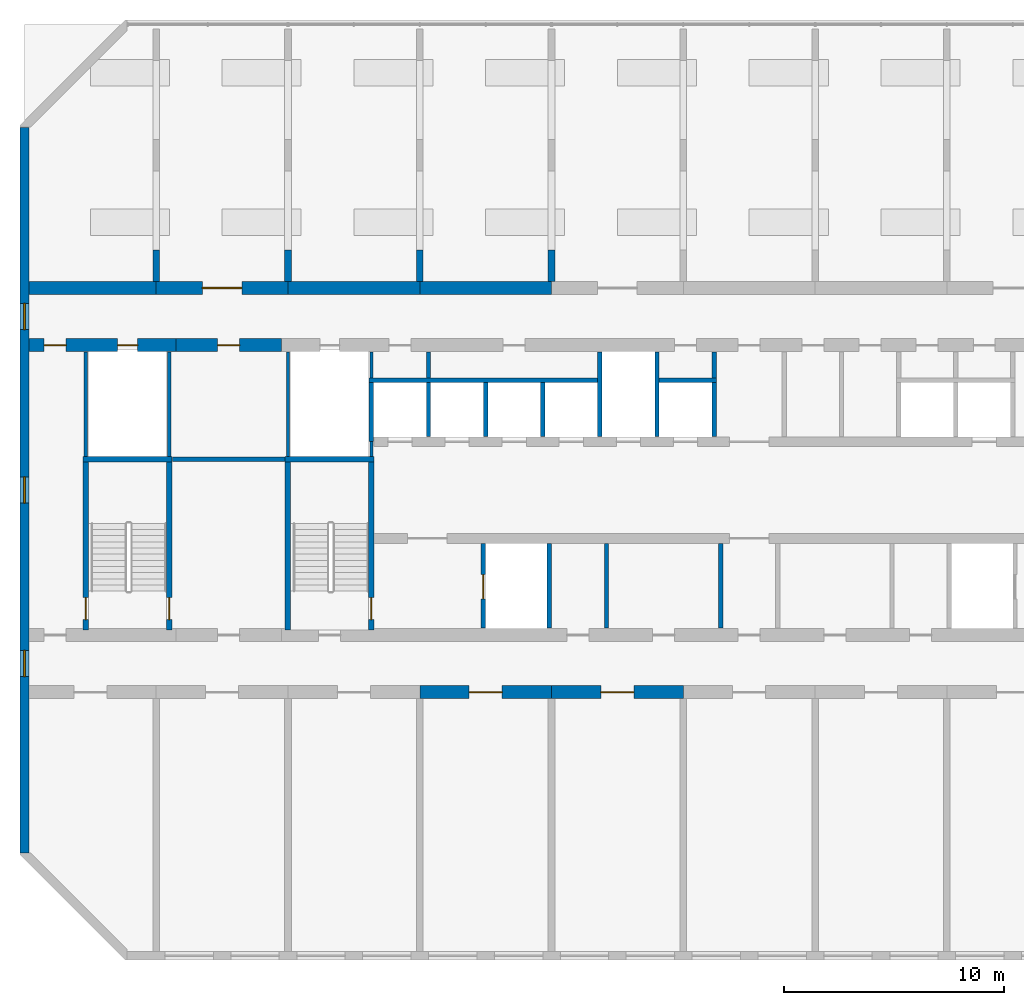
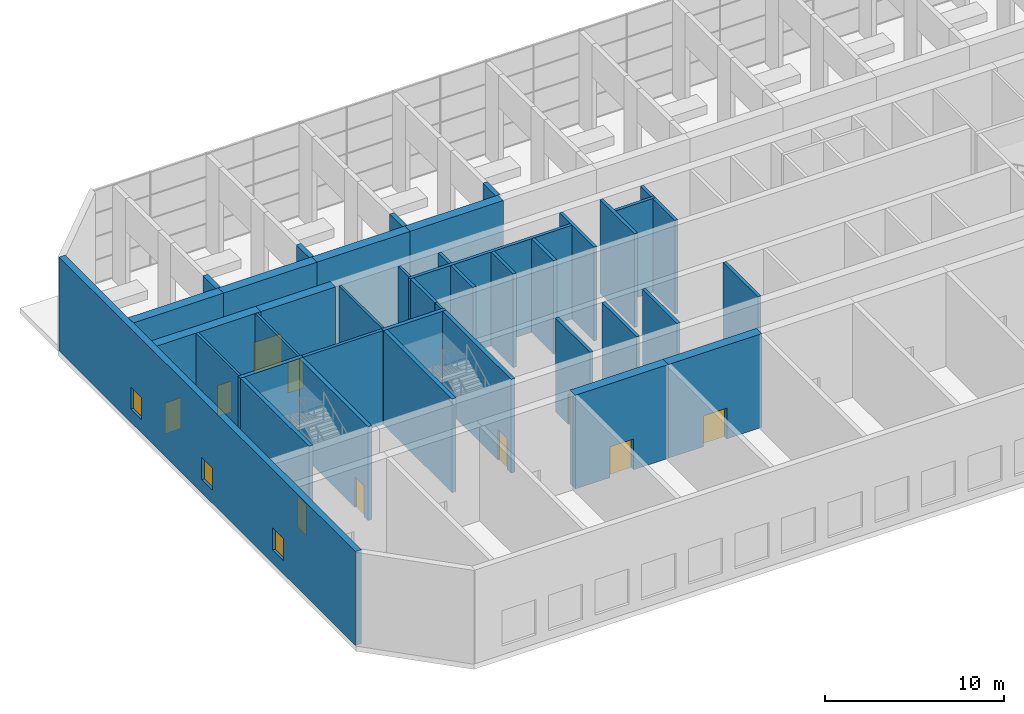
# One storey, part 6 of 13: 40 walls, 10 doors, 3 windows, 13 openings.
"""IFC4 building model written with IfcOpenShell, lengths in metres."""

from ifc_helpers import new_model, si_unit, direction, frame, frame_2d, origin, place, context, subcontext, project, spatial, rectangle, extrude, material, layer, layer_set, type_object, element, fill, save


model = new_model("IFC4")

# Units and contexts
model_context = context("Model", 3, precision=1e-05, world=origin(), true_north=direction((0.0, 1.0)))
body_context = subcontext(model_context, "Body", "Model", "MODEL_VIEW")
ifc_project = project(units=[si_unit("LENGTHUNIT", "METRE"), si_unit("AREAUNIT", "SQUARE_METRE"), si_unit("VOLUMEUNIT", "CUBIC_METRE"), si_unit("PLANEANGLEUNIT", "RADIAN"), si_unit("MASSUNIT", "GRAM", prefix="KILO")], contexts=[model_context])

# Site, building, storey
site_placement = place(None, origin())
site = spatial("IfcSite", under=ifc_project, at=site_placement, CompositionType="ELEMENT")
building_placement = place(site_placement, origin())
building = spatial("IfcBuilding", under=site, at=building_placement, Name="Poui Terraces", CompositionType="ELEMENT")
storey_placement = place(building_placement, frame((0.0, 0.0, 165.300048828125)))
storey = spatial("IfcBuildingStorey", under=building, at=storey_placement, Name="L46", CompositionType="ELEMENT", Elevation=165.300048828125)

# Wall, opening, door
ifc_material_1 = material(Name="Concrete 65 MPa", Category="concrete")
ifc_layer_1 = layer(ifc_material_1, 0.60009765625)
ifc_layer_set_1 = layer_set([ifc_layer_1], Name="Concrete 65 MPa")
wall_type_1 = type_object("IfcWallType", Name="BELT WALL 600 65MPa", PredefinedType="SHEAR", material=ifc_layer_set_1)
wall_1_placement = place(storey_placement, frame((36.0, 12.0, 0.0), z_axis=(0.0, 0.0, 1.0), x_axis=(1.0, 0.0, 0.0)))
wall_1 = element("IfcWall", 1, at=wall_1_placement, inside=storey, type_object=wall_type_1, Name="BELT WALL LINE B BAY 4", PredefinedType="SHEAR", context=body_context, shape_type="SweptSolid", body=[
    extrude(rectangle(XDim=6.0, YDim=0.60009765625, at=frame_2d((3.0, 0.0))), origin(), (0.0, 0.0, 1.0), 6.3798828125),
])
opening_1_placement = place(wall_1_placement, frame((2.25, 0.0, 0.0)))
opening_1 = element("IfcOpeningElement", 2, at=opening_1_placement, cuts=wall_1, Name="Opening FDP", PredefinedType="OPENING", context=body_context, shape_type="SweptSolid", body=[
    extrude(rectangle(XDim=1.5, YDim=2.10009765625, at=frame_2d((0.75, 1.050048828125))), frame((0.0, 0.31005859375, 0.0), z_axis=(0.0, -1.0, 0.0), x_axis=(1.0, 0.0, 0.0)), (0.0, 0.0, 1.0), 0.6201171875),
])
ifc_material_2 = material(Name="Steel fire door", Category="steel")
door_type_1 = type_object("IfcDoorType", Name="PLANT ROOM DOOR PAIR 1500 X 2100", OperationType="DOUBLE_DOOR_SINGLE_SWING", PredefinedType="DOOR", material=ifc_material_2)
door_1_placement = place(opening_1_placement, origin())
door_1 = element("IfcDoor", 3, at=door_1_placement, inside=storey, type_object=door_type_1, Name="PLANT ROOM DOOR PAIR 029", OperationType="DOUBLE_DOOR_SINGLE_SWING", OverallHeight=2.10009765625, OverallWidth=1.5, PredefinedType="DOOR", context=body_context, shape_type="SweptSolid", body=[
    extrude(rectangle(XDim=1.5, YDim=2.10009765625, at=frame_2d((0.75, 1.050048828125))), frame((0.0, 0.02490234375, 0.0), z_axis=(0.0, -1.0, 0.0), x_axis=(1.0, 0.0, 0.0)), (0.0, 0.0, 1.0), 0.050048828125),
])
fill(opening_1, door_1)

wall_2_placement = place(storey_placement, frame((42.0, 12.0, 0.0), z_axis=(0.0, 0.0, 1.0), x_axis=(1.0, 0.0, 0.0)))
wall_2 = element("IfcWall", 4, at=wall_2_placement, inside=storey, type_object=wall_type_1, Name="BELT WALL LINE B BAY 5", PredefinedType="SHEAR", context=body_context, shape_type="SweptSolid", body=[
    extrude(rectangle(XDim=6.0, YDim=0.60009765625, at=frame_2d((3.0, 0.0))), origin(), (0.0, 0.0, 1.0), 6.3798828125),
])
opening_2_placement = place(wall_2_placement, frame((2.25, 0.0, 0.0)))
opening_2 = element("IfcOpeningElement", 5, at=opening_2_placement, cuts=wall_2, Name="Opening FDP", PredefinedType="OPENING", context=body_context, shape_type="SweptSolid", body=[
    extrude(rectangle(XDim=1.5, YDim=2.10009765625, at=frame_2d((0.75, 1.050048828125))), frame((0.0, 0.31005859375, 0.0), z_axis=(0.0, -1.0, 0.0), x_axis=(1.0, 0.0, 0.0)), (0.0, 0.0, 1.0), 0.6201171875),
])
door_2_placement = place(opening_2_placement, origin())
door_2 = element("IfcDoor", 6, at=door_2_placement, inside=storey, type_object=door_type_1, Name="PLANT ROOM DOOR PAIR 031", OperationType="DOUBLE_DOOR_SINGLE_SWING", OverallHeight=2.10009765625, OverallWidth=1.5, PredefinedType="DOOR", context=body_context, shape_type="SweptSolid", body=[
    extrude(rectangle(XDim=1.5, YDim=2.10009765625, at=frame_2d((0.75, 1.050048828125))), frame((0.0, 0.02490234375, 0.0), z_axis=(0.0, -1.0, 0.0), x_axis=(1.0, 0.0, 0.0)), (0.0, 0.0, 1.0), 0.050048828125),
])
fill(opening_2, door_2)

# Wall
wall_3_placement = place(storey_placement, frame((18.199951171875, 30.39990234375, 0.0), z_axis=(0.0, 0.0, 1.0), x_axis=(1.0, 0.0, 0.0)))
element("IfcWall", 7, at=wall_3_placement, inside=storey, type_object=wall_type_1, Name="BELT WALL LINE E BAY 1", PredefinedType="SHEAR", context=body_context, shape_type="SweptSolid", body=[
    extrude(rectangle(XDim=5.800048828125, YDim=0.60009765625, at=frame_2d((2.89990234375, 0.0))), origin(), (0.0, 0.0, 1.0), 6.3798828125),
])

# Wall, opening, door
wall_4_placement = place(storey_placement, frame((24.0, 30.39990234375, 0.0), z_axis=(0.0, 0.0, 1.0), x_axis=(1.0, 0.0, 0.0)))
wall_4 = element("IfcWall", 8, at=wall_4_placement, inside=storey, type_object=wall_type_1, Name="BELT WALL LINE E BAY 2", PredefinedType="SHEAR", context=body_context, shape_type="SweptSolid", body=[
    extrude(rectangle(XDim=6.0, YDim=0.60009765625, at=frame_2d((3.0, 0.0))), origin(), (0.0, 0.0, 1.0), 6.3798828125),
])
opening_3_placement = place(wall_4_placement, frame((2.10009765625, 0.0, 0.0)))
opening_3 = element("IfcOpeningElement", 9, at=opening_3_placement, cuts=wall_4, Name="Opening DD180", PredefinedType="OPENING", context=body_context, shape_type="SweptSolid", body=[
    extrude(rectangle(XDim=1.800048828125, YDim=2.10009765625, at=frame_2d((0.89990234375, 1.050048828125))), frame((0.0, 0.31005859375, 0.0), z_axis=(0.0, -1.0, 0.0), x_axis=(1.0, 0.0, 0.0)), (0.0, 0.0, 1.0), 0.6201171875),
])
door_type_2 = type_object("IfcDoorType", Name="DOUBLE INTERNAL DOOR 1800 X 2100", OperationType="DOUBLE_DOOR_SINGLE_SWING", PredefinedType="DOOR", material=ifc_material_2)
door_3_placement = place(opening_3_placement, frame((1.800048828125, 0.0, 0.0), z_axis=(0.0, 0.0, 1.0), x_axis=(-1.0, 0.0, 0.0)))
door_3 = element("IfcDoor", 10, at=door_3_placement, inside=storey, type_object=door_type_2, Name="DOUBLE INTERNAL DOOR 003", OperationType="DOUBLE_DOOR_SINGLE_SWING", OverallHeight=2.10009765625, OverallWidth=1.800048828125, PredefinedType="DOOR", context=body_context, shape_type="SweptSolid", body=[
    extrude(rectangle(XDim=1.800048828125, YDim=2.10009765625, at=frame_2d((0.89990234375, 1.050048828125))), frame((0.0, 0.02490234375, 0.0), z_axis=(0.0, -1.0, 0.0), x_axis=(1.0, 0.0, 0.0)), (0.0, 0.0, 1.0), 0.050048828125),
])
fill(opening_3, door_3)

# Walls
for number, where, z_axis, x_axis, name in (
    (11, (30.0, 30.39990234375, 0.0), (0.0, 0.0, 1.0), (1.0, 0.0, 0.0), "BELT WALL LINE E BAY 3"),
    (12, (36.0, 30.39990234375, 0.0), (0.0, 0.0, 1.0), (1.0, 0.0, 0.0), "BELT WALL LINE E BAY 4"),
):
    element("IfcWall", number, at=place(storey_placement, frame(where, z_axis=z_axis, x_axis=x_axis)), inside=storey, type_object=wall_type_1, Name=name, PredefinedType="SHEAR", context=body_context, shape_type="SweptSolid", body=[
        extrude(rectangle(XDim=6.0, YDim=0.60009765625, at=frame_2d((3.0, 0.0))), origin(), (0.0, 0.0, 1.0), 6.3798828125),
    ])

# Wall, openings, windows
ifc_layer_2 = layer(ifc_material_1, 0.39990234375)
ifc_layer_set_2 = layer_set([ifc_layer_2], Name="Concrete 65 MPa")
wall_type_2 = type_object("IfcWallType", Name="END WALL 400 65MPa", PredefinedType="SHEAR", material=ifc_layer_set_2)
wall_5_placement = place(storey_placement, frame((18.0, 4.682861328125, 0.0), z_axis=(0.0, 0.0, 1.0), x_axis=(0.0, 1.0, 0.0)))
wall_5 = element("IfcWall", 13, at=wall_5_placement, inside=storey, type_object=wall_type_2, Name="END WALL WEST", PredefinedType="SHEAR", context=body_context, shape_type="SweptSolid", body=[
    extrude(rectangle(XDim=33.034423828125, YDim=0.39990234375, at=frame_2d((16.51708984375, 0.0))), origin(), (0.0, 0.0, 1.0), 6.3798828125),
])
opening_4_placement = place(wall_5_placement, frame((23.817138671875, 0.0, 0.89990234375)))
opening_4 = element("IfcOpeningElement", 14, at=opening_4_placement, cuts=wall_5, Name="Opening W2", PredefinedType="OPENING", context=body_context, shape_type="SweptSolid", body=[
    extrude(rectangle(XDim=1.199951171875, YDim=1.5, at=frame_2d((0.60009765625, 0.75))), frame((0.0, 0.2099609375, 0.0), z_axis=(0.0, -1.0, 0.0), x_axis=(1.0, 0.0, 0.0)), (0.0, 0.0, 1.0), 0.419921875),
])
opening_5_placement = place(wall_5_placement, frame((8.01708984375, 0.0, 0.89990234375)))
opening_5 = element("IfcOpeningElement", 15, at=opening_5_placement, cuts=wall_5, Name="Opening W2", PredefinedType="OPENING", context=body_context, shape_type="SweptSolid", body=[
    extrude(rectangle(XDim=1.199951171875, YDim=1.5, at=frame_2d((0.60009765625, 0.75))), frame((0.0, 0.2099609375, 0.0), z_axis=(0.0, -1.0, 0.0), x_axis=(1.0, 0.0, 0.0)), (0.0, 0.0, 1.0), 0.419921875),
])
opening_6_placement = place(wall_5_placement, frame((15.917236328125, 0.0, 0.89990234375)))
opening_6 = element("IfcOpeningElement", 16, at=opening_6_placement, cuts=wall_5, Name="Opening W2", PredefinedType="OPENING", context=body_context, shape_type="SweptSolid", body=[
    extrude(rectangle(XDim=1.199951171875, YDim=1.5, at=frame_2d((0.60009765625, 0.75))), frame((0.0, 0.2099609375, 0.0), z_axis=(0.0, -1.0, 0.0), x_axis=(1.0, 0.0, 0.0)), (0.0, 0.0, 1.0), 0.419921875),
])
ifc_material_3 = material(Name="Clear glass in aluminium frame", Category="aluminium")
window_type = type_object("IfcWindowType", Name="WINDOW 1200X1500", PartitioningType="SINGLE_PANEL", PredefinedType="WINDOW", material=ifc_material_3)
window_1_placement = place(opening_4_placement, origin())
window_1 = element("IfcWindow", 17, at=window_1_placement, inside=storey, type_object=window_type, Name="W2 WINDOW", OverallHeight=1.5, OverallWidth=1.199951171875, PartitioningType="SINGLE_PANEL", PredefinedType="WINDOW", context=body_context, shape_type="SweptSolid", body=[
    extrude(rectangle(XDim=1.199951171875, YDim=1.5, at=frame_2d((0.60009765625, 0.75))), frame((0.0, 0.030029296875, 0.0), z_axis=(0.0, -1.0, 0.0), x_axis=(1.0, 0.0, 0.0)), (0.0, 0.0, 1.0), 0.06005859375),
])
fill(opening_4, window_1)
window_2_placement = place(opening_5_placement, origin())
window_2 = element("IfcWindow", 18, at=window_2_placement, inside=storey, type_object=window_type, Name="W2 WINDOW", OverallHeight=1.5, OverallWidth=1.199951171875, PartitioningType="SINGLE_PANEL", PredefinedType="WINDOW", context=body_context, shape_type="SweptSolid", body=[
    extrude(rectangle(XDim=1.199951171875, YDim=1.5, at=frame_2d((0.60009765625, 0.75))), frame((0.0, 0.030029296875, 0.0), z_axis=(0.0, -1.0, 0.0), x_axis=(1.0, 0.0, 0.0)), (0.0, 0.0, 1.0), 0.06005859375),
])
fill(opening_5, window_2)
window_3_placement = place(opening_6_placement, origin())
window_3 = element("IfcWindow", 19, at=window_3_placement, inside=storey, type_object=window_type, Name="W2 WINDOW", OverallHeight=1.5, OverallWidth=1.199951171875, PartitioningType="SINGLE_PANEL", PredefinedType="WINDOW", context=body_context, shape_type="SweptSolid", body=[
    extrude(rectangle(XDim=1.199951171875, YDim=1.5, at=frame_2d((0.60009765625, 0.75))), frame((0.0, 0.030029296875, 0.0), z_axis=(0.0, -1.0, 0.0), x_axis=(1.0, 0.0, 0.0)), (0.0, 0.0, 1.0), 0.06005859375),
])
fill(opening_6, window_3)

# Wall, opening, door
ifc_layer_3 = layer(ifc_material_1, 0.60009765625)
ifc_layer_set_3 = layer_set([ifc_layer_3], Name="Concrete 65 MPa")
wall_type_3 = type_object("IfcWallType", Name="OUTRIGGER WALL 600 65MPa", PredefinedType="SHEAR", material=ifc_layer_set_3)
wall_6_placement = place(storey_placement, frame((24.89990234375, 27.800048828125, 0.0), z_axis=(0.0, 0.0, 1.0), x_axis=(1.0, 0.0, 0.0)))
wall_6 = element("IfcWall", 20, at=wall_6_placement, inside=storey, type_object=wall_type_3, Name="OUTRIGGER WALL LINE D W2", PredefinedType="SHEAR", context=body_context, shape_type="SweptSolid", body=[
    extrude(rectangle(XDim=4.800048828125, YDim=0.60009765625, at=frame_2d((2.39990234375, 0.0))), origin(), (0.0, 0.0, 1.0), 6.3798828125),
])
opening_7_placement = place(wall_6_placement, frame((1.89990234375, 0.0, 0.0)))
opening_7 = element("IfcOpeningElement", 21, at=opening_7_placement, cuts=wall_6, Name="Opening FD60", PredefinedType="OPENING", context=body_context, shape_type="SweptSolid", body=[
    extrude(rectangle(XDim=1.0, YDim=2.10009765625, at=frame_2d((0.5, 1.050048828125))), frame((0.0, 0.31005859375, 0.0), z_axis=(0.0, -1.0, 0.0), x_axis=(1.0, 0.0, 0.0)), (0.0, 0.0, 1.0), 0.6201171875),
])
door_type_3 = type_object("IfcDoorType", Name="SERVICE ROOM FIRE DOOR 1000 X 2100", OperationType="NOTDEFINED", PredefinedType="DOOR", material=ifc_material_2)
door_4_placement = place(opening_7_placement, origin())
door_4 = element("IfcDoor", 22, at=door_4_placement, inside=storey, type_object=door_type_3, Name="SERVICE ROOM FIRE DOOR 004", OperationType="SINGLE_SWING_LEFT", OverallHeight=2.10009765625, OverallWidth=1.0, PredefinedType="DOOR", context=body_context, shape_type="SweptSolid", body=[
    extrude(rectangle(XDim=1.0, YDim=2.10009765625, at=frame_2d((0.5, 1.050048828125))), frame((0.0, 0.02490234375, 0.0), z_axis=(0.0, -1.0, 0.0), x_axis=(1.0, 0.0, 0.0)), (0.0, 0.0, 1.0), 0.050048828125),
])
fill(opening_7, door_4)

# Walls
ifc_layer_4 = layer(ifc_material_1, 0.300048828125)
ifc_layer_set_4 = layer_set([ifc_layer_4], Name="Concrete 65 MPa")
wall_type_4 = type_object("IfcWallType", Name="PIERCED CROSS WALL 300 65MPa", PredefinedType="SHEAR", material=ifc_layer_set_4)
for number, where, z_axis, x_axis, name in (
    (23, (24.0, 30.699951171875, 0.0), (0.0, 0.0, 1.0), (0.0, 1.0, 0.0), "PIER LINE 5 1"),
    (24, (30.0, 30.699951171875, 0.0), (0.0, 0.0, 1.0), (0.0, 1.0, 0.0), "PIER LINE 6 1"),
    (25, (36.0, 30.699951171875, 0.0), (0.0, 0.0, 1.0), (0.0, 1.0, 0.0), "PIER LINE 7 1"),
    (26, (42.0, 30.699951171875, 0.0), (0.0, 0.0, 1.0), (0.0, 1.0, 0.0), "PIER LINE 8 1"),
):
    element("IfcWall", number, at=place(storey_placement, frame(where, z_axis=z_axis, x_axis=x_axis)), inside=storey, type_object=wall_type_4, Name=name, PredefinedType="SHEAR", context=body_context, shape_type="SweptSolid", body=[
        extrude(rectangle(XDim=1.433349609375, YDim=0.300048828125, at=frame_2d((0.716796875, 0.0))), origin(), (0.0, 0.0, 1.0), 6.3798828125),
    ])
ifc_material_4 = material(Name="Fire-rated masonry wall", Category="masonry")
ifc_layer_5 = layer(ifc_material_4, 0.199951171875)
ifc_layer_set_5 = layer_set([ifc_layer_5], Name="Fire-rated masonry wall")
wall_type_5 = type_object("IfcWallType", Name="PLANT ROOM WALL 200", PredefinedType="PARTITIONING", material=ifc_layer_set_5)
wall_7_placement = place(storey_placement, frame((36.39990234375, 26.300048828125, 0.0), z_axis=(0.0, 0.0, 1.0), x_axis=(0.0, 1.0, 0.0)))
element("IfcWall", 27, at=wall_7_placement, inside=storey, type_object=wall_type_5, Name="PLANT ROOM WALL 200", PredefinedType="PARTITIONING", context=body_context, shape_type="SweptSolid", body=[
    extrude(rectangle(XDim=1.18994140625, YDim=0.199951171875, at=frame_2d((0.594970703125, 0.0))), origin(), (0.0, 0.0, 1.0), 6.3798828125),
])
wall_8_placement = place(storey_placement, frame((44.5, 14.909912109375, 0.0), z_axis=(0.0, 0.0, 1.0), x_axis=(0.0, 1.0, 0.0)))
element("IfcWall", 28, at=wall_8_placement, inside=storey, type_object=wall_type_5, Name="PLANT ROOM WALL 200", PredefinedType="PARTITIONING", context=body_context, shape_type="SweptSolid", body=[
    extrude(rectangle(XDim=3.85498046875, YDim=0.199951171875, at=frame_2d((1.927490234375, 0.0))), origin(), (0.0, 0.0, 1.0), 6.3798828125),
])
wall_9_placement = place(storey_placement, frame((49.39990234375, 26.300048828125, 0.0), z_axis=(0.0, 0.0, 1.0), x_axis=(0.0, 1.0, 0.0)))
element("IfcWall", 29, at=wall_9_placement, inside=storey, type_object=wall_type_5, Name="PLANT ROOM WALL 200", PredefinedType="PARTITIONING", context=body_context, shape_type="SweptSolid", body=[
    extrude(rectangle(XDim=1.18994140625, YDim=0.199951171875, at=frame_2d((0.594970703125, 0.0))), origin(), (0.0, 0.0, 1.0), 6.3798828125),
])
wall_10_placement = place(storey_placement, frame((49.699951171875, 14.909912109375, 0.0), z_axis=(0.0, 0.0, 1.0), x_axis=(0.0, 1.0, 0.0)))
element("IfcWall", 30, at=wall_10_placement, inside=storey, type_object=wall_type_5, Name="PLANT ROOM WALL 200", PredefinedType="PARTITIONING", context=body_context, shape_type="SweptSolid", body=[
    extrude(rectangle(XDim=3.85498046875, YDim=0.199951171875, at=frame_2d((1.927490234375, 0.0))), origin(), (0.0, 0.0, 1.0), 6.3798828125),
])
ifc_layer_6 = layer(ifc_material_4, 0.199951171875)
ifc_layer_set_6 = layer_set([ifc_layer_6], Name="Fire-rated masonry wall")
wall_type_6 = type_object("IfcWallType", Name="REFUGE AREA WALL 200", PredefinedType="PARTITIONING", material=ifc_layer_set_6)
wall_11_placement = place(storey_placement, frame((24.735107421875, 22.60009765625, 0.0), z_axis=(0.0, 0.0, 1.0), x_axis=(1.0, 0.0, 0.0)))
element("IfcWall", 31, at=wall_11_placement, inside=storey, type_object=wall_type_6, Name="REFUGE AREA WALL 200", PredefinedType="PARTITIONING", context=body_context, shape_type="SweptSolid", body=[
    extrude(rectangle(XDim=5.1298828125, YDim=0.199951171875, at=frame_2d((2.56494140625, 0.0))), origin(), (0.0, 0.0, 1.0), 6.3798828125),
])
ifc_material_5 = material(Name="Fire-rated plasterboard riser wall")
ifc_layer_7 = layer(ifc_material_5, 0.14990234375)
ifc_layer_set_7 = layer_set([ifc_layer_7], Name="Fire-rated plasterboard riser wall")
wall_type_7 = type_object("IfcWallType", Name="RISER WALL 150", PredefinedType="PARTITIONING", material=ifc_layer_set_7)
for number, where, z_axis, x_axis, name in (
    (32, (20.800048828125, 22.735107421875, 0.0), (0.0, 0.0, 1.0), (0.0, 1.0, 0.0), "RISER WALL 150"),
    (33, (24.60009765625, 22.735107421875, 0.0), (0.0, 0.0, 1.0), (0.0, 1.0, 0.0), "RISER WALL 150"),
    (34, (30.0, 22.735107421875, 0.0), (0.0, 0.0, 1.0), (0.0, 1.0, 0.0), "RISER WALL 150"),
):
    element("IfcWall", number, at=place(storey_placement, frame(where, z_axis=z_axis, x_axis=x_axis)), inside=storey, type_object=wall_type_7, Name=name, PredefinedType="PARTITIONING", context=body_context, shape_type="SweptSolid", body=[
        extrude(rectangle(XDim=4.7548828125, YDim=0.14990234375, at=frame_2d((2.37744140625, 0.0))), origin(), (0.0, 0.0, 1.0), 6.3798828125),
    ])
wall_12_placement = place(storey_placement, frame((33.800048828125, 22.735107421875, 0.0), z_axis=(0.0, 0.0, 1.0), x_axis=(0.0, 1.0, 0.0)))
element("IfcWall", 35, at=wall_12_placement, inside=storey, type_object=wall_type_7, Name="RISER WALL 150", PredefinedType="PARTITIONING", context=body_context, shape_type="SweptSolid", body=[
    extrude(rectangle(XDim=0.664794921875, YDim=0.14990234375, at=frame_2d((0.33251953125, 0.0))), origin(), (0.0, 0.0, 1.0), 6.3798828125),
])
wall_13_placement = place(storey_placement, frame((33.800048828125, 26.300048828125, 0.0), z_axis=(0.0, 0.0, 1.0), x_axis=(0.0, 1.0, 0.0)))
element("IfcWall", 36, at=wall_13_placement, inside=storey, type_object=wall_type_7, Name="RISER WALL 150", PredefinedType="PARTITIONING", context=body_context, shape_type="SweptSolid", body=[
    extrude(rectangle(XDim=1.18994140625, YDim=0.14990234375, at=frame_2d((0.594970703125, 0.0))), origin(), (0.0, 0.0, 1.0), 6.3798828125),
])
ifc_material_6 = material(Name="Fire-rated masonry shaft wall", Category="masonry")
ifc_layer_8 = layer(ifc_material_6, 0.199951171875)
ifc_layer_set_8 = layer_set([ifc_layer_8], Name="Fire-rated masonry shaft wall")
wall_type_8 = type_object("IfcWallType", Name="SHAFT WALL 200", PredefinedType="PARTITIONING", material=ifc_layer_set_8)
wall_14_placement = place(storey_placement, frame((33.699951171875, 26.199951171875, 0.0), z_axis=(0.0, 0.0, 1.0), x_axis=(1.0, 0.0, 0.0)))
element("IfcWall", 37, at=wall_14_placement, inside=storey, type_object=wall_type_8, Name="SHAFT WALL 200", PredefinedType="PARTITIONING", context=body_context, shape_type="SweptSolid", body=[
    extrude(rectangle(XDim=10.400146484375, YDim=0.199951171875, at=frame_2d((5.2001953125, 0.0))), origin(), (0.0, 0.0, 1.0), 6.3798828125),
])
wall_15_placement = place(storey_placement, frame((46.89990234375, 26.199951171875, 0.0), z_axis=(0.0, 0.0, 1.0), x_axis=(1.0, 0.0, 0.0)))
element("IfcWall", 38, at=wall_15_placement, inside=storey, type_object=wall_type_8, Name="SHAFT WALL 200", PredefinedType="PARTITIONING", context=body_context, shape_type="SweptSolid", body=[
    extrude(rectangle(XDim=2.60009765625, YDim=0.199951171875, at=frame_2d((1.300048828125, 0.0))), origin(), (0.0, 0.0, 1.0), 6.3798828125),
])
wall_16_placement = place(storey_placement, frame((33.800048828125, 23.39990234375, 0.0), z_axis=(0.0, 0.0, 1.0), x_axis=(0.0, 1.0, 0.0)))
element("IfcWall", 39, at=wall_16_placement, inside=storey, type_object=wall_type_8, Name="SHAFT WALL 200", PredefinedType="PARTITIONING", context=body_context, shape_type="SweptSolid", body=[
    extrude(rectangle(XDim=2.7001953125, YDim=0.199951171875, at=frame_2d((1.35009765625, 0.0))), origin(), (0.0, 0.0, 1.0), 6.3798828125),
])
wall_17_placement = place(storey_placement, frame((36.39990234375, 23.635009765625, 0.0), z_axis=(0.0, 0.0, 1.0), x_axis=(0.0, 1.0, 0.0)))
element("IfcWall", 40, at=wall_17_placement, inside=storey, type_object=wall_type_8, Name="SHAFT WALL 200", PredefinedType="PARTITIONING", context=body_context, shape_type="SweptSolid", body=[
    extrude(rectangle(XDim=2.465087890625, YDim=0.199951171875, at=frame_2d((1.232421875, 0.0))), origin(), (0.0, 0.0, 1.0), 6.3798828125),
])

# Wall, opening, door
wall_18_placement = place(storey_placement, frame((38.89990234375, 14.909912109375, 0.0), z_axis=(0.0, 0.0, 1.0), x_axis=(0.0, 1.0, 0.0)))
wall_18 = element("IfcWall", 41, at=wall_18_placement, inside=storey, type_object=wall_type_8, Name="SHAFT WALL 200", PredefinedType="PARTITIONING", context=body_context, shape_type="SweptSolid", body=[
    extrude(rectangle(XDim=3.85498046875, YDim=0.199951171875, at=frame_2d((1.927490234375, 0.0))), origin(), (0.0, 0.0, 1.0), 6.3798828125),
])
opening_8_placement = place(wall_18_placement, frame((1.340087890625, 0.0, 0.0)))
opening_8 = element("IfcOpeningElement", 42, at=opening_8_placement, cuts=wall_18, Name="Opening LD", PredefinedType="OPENING", context=body_context, shape_type="SweptSolid", body=[
    extrude(rectangle(XDim=1.10009765625, YDim=2.10009765625, at=frame_2d((0.550048828125, 1.050048828125))), frame((0.0, 0.10986328125, 0.0), z_axis=(0.0, -1.0, 0.0), x_axis=(1.0, 0.0, 0.0)), (0.0, 0.0, 1.0), 0.219970703125),
])
ifc_material_7 = material(Name="Stainless steel sliding door", Category="steel")
door_type_4 = type_object("IfcDoorType", Name="LIFT LANDING DOOR 1100 X 2100", OperationType="DOUBLE_DOOR_SLIDING", PredefinedType="DOOR", material=ifc_material_7)
door_5_placement = place(opening_8_placement, origin())
door_5 = element("IfcDoor", 43, at=door_5_placement, inside=storey, type_object=door_type_4, Name="LANDING DOOR", OperationType="DOUBLE_DOOR_SLIDING", OverallHeight=2.10009765625, OverallWidth=1.10009765625, PredefinedType="DOOR", context=body_context, shape_type="SweptSolid", body=[
    extrude(rectangle(XDim=1.10009765625, YDim=2.10009765625, at=frame_2d((0.550048828125, 1.050048828125))), frame((0.0, 0.02490234375, 0.0), z_axis=(0.0, -1.0, 0.0), x_axis=(1.0, 0.0, 0.0)), (0.0, 0.0, 1.0), 0.050048828125),
])
fill(opening_8, door_5)

# Walls
for number, where, z_axis, x_axis, name in (
    (44, (39.0, 23.635009765625, 0.0), (0.0, 0.0, 1.0), (0.0, 1.0, 0.0), "SHAFT WALL 200"),
    (45, (41.60009765625, 23.635009765625, 0.0), (0.0, 0.0, 1.0), (0.0, 1.0, 0.0), "SHAFT WALL 200"),
):
    element("IfcWall", number, at=place(storey_placement, frame(where, z_axis=z_axis, x_axis=x_axis)), inside=storey, type_object=wall_type_8, Name=name, PredefinedType="PARTITIONING", context=body_context, shape_type="SweptSolid", body=[
        extrude(rectangle(XDim=2.465087890625, YDim=0.199951171875, at=frame_2d((1.232421875, 0.0))), origin(), (0.0, 0.0, 1.0), 6.3798828125),
    ])
for number, where, z_axis, x_axis, name in (
    (46, (41.89990234375, 14.909912109375, 0.0), (0.0, 0.0, 1.0), (0.0, 1.0, 0.0), "SHAFT WALL 200"),
    (47, (44.199951171875, 23.635009765625, 0.0), (0.0, 0.0, 1.0), (0.0, 1.0, 0.0), "SHAFT WALL 200"),
    (48, (46.800048828125, 23.635009765625, 0.0), (0.0, 0.0, 1.0), (0.0, 1.0, 0.0), "SHAFT WALL 200"),
):
    element("IfcWall", number, at=place(storey_placement, frame(where, z_axis=z_axis, x_axis=x_axis)), inside=storey, type_object=wall_type_8, Name=name, PredefinedType="PARTITIONING", context=body_context, shape_type="SweptSolid", body=[
        extrude(rectangle(XDim=3.85498046875, YDim=0.199951171875, at=frame_2d((1.927490234375, 0.0))), origin(), (0.0, 0.0, 1.0), 6.3798828125),
    ])
wall_19_placement = place(storey_placement, frame((49.39990234375, 23.635009765625, 0.0), z_axis=(0.0, 0.0, 1.0), x_axis=(0.0, 1.0, 0.0)))
element("IfcWall", 49, at=wall_19_placement, inside=storey, type_object=wall_type_8, Name="SHAFT WALL 200", PredefinedType="PARTITIONING", context=body_context, shape_type="SweptSolid", body=[
    extrude(rectangle(XDim=2.465087890625, YDim=0.199951171875, at=frame_2d((1.232421875, 0.0))), origin(), (0.0, 0.0, 1.0), 6.3798828125),
])

# Wall, openings, doors
ifc_layer_9 = layer(ifc_material_1, 0.60009765625)
ifc_layer_set_9 = layer_set([ifc_layer_9], Name="Concrete 65 MPa")
wall_type_9 = type_object("IfcWallType", Name="SPINE WALL 600 65 MPA", PredefinedType="SOLIDWALL", material=ifc_layer_set_9)
wall_20_placement = place(storey_placement, frame((18.199951171875, 27.800048828125, 0.0), z_axis=(0.0, 0.0, 1.0), x_axis=(1.0, 0.0, 0.0)))
wall_20 = element("IfcWall", 50, at=wall_20_placement, inside=storey, type_object=wall_type_9, Name="SPINE WALL", PredefinedType="SOLIDWALL", context=body_context, shape_type="SweptSolid", body=[
    extrude(rectangle(XDim=6.699951171875, YDim=0.60009765625, at=frame_2d((3.35009765625, 0.0))), origin(), (0.0, 0.0, 1.0), 6.3798828125),
])
opening_9_placement = place(wall_20_placement, frame((0.699951171875, 0.0, 0.0)))
opening_9 = element("IfcOpeningElement", 51, at=opening_9_placement, cuts=wall_20, Name="Opening FDL", PredefinedType="OPENING", context=body_context, shape_type="SweptSolid", body=[
    extrude(rectangle(XDim=1.0, YDim=2.10009765625, at=frame_2d((0.5, 1.050048828125))), frame((0.0, 0.31005859375, 0.0), z_axis=(0.0, -1.0, 0.0), x_axis=(1.0, 0.0, 0.0)), (0.0, 0.0, 1.0), 0.6201171875),
])
opening_10_placement = place(wall_20_placement, frame((4.050048828125, 0.0, 0.0)))
opening_10 = element("IfcOpeningElement", 52, at=opening_10_placement, cuts=wall_20, Name="Opening FDR", PredefinedType="OPENING", context=body_context, shape_type="SweptSolid", body=[
    extrude(rectangle(XDim=0.89990234375, YDim=2.10009765625, at=frame_2d((0.449951171875, 1.050048828125))), frame((0.0, 0.31005859375, 0.0), z_axis=(0.0, -1.0, 0.0), x_axis=(1.0, 0.0, 0.0)), (0.0, 0.0, 1.0), 0.6201171875),
])
door_type_5 = type_object("IfcDoorType", Name="LOBBY FIRE DOOR 1000 X 2100", OperationType="NOTDEFINED", PredefinedType="DOOR", material=ifc_material_2)
door_6_placement = place(opening_9_placement, origin())
door_6 = element("IfcDoor", 53, at=door_6_placement, inside=storey, type_object=door_type_5, Name="LOBBY FIRE DOOR 001", OperationType="SINGLE_SWING_LEFT", OverallHeight=2.10009765625, OverallWidth=1.0, PredefinedType="DOOR", context=body_context, shape_type="SweptSolid", body=[
    extrude(rectangle(XDim=1.0, YDim=2.10009765625, at=frame_2d((0.5, 1.050048828125))), frame((0.0, 0.02490234375, 0.0), z_axis=(0.0, -1.0, 0.0), x_axis=(1.0, 0.0, 0.0)), (0.0, 0.0, 1.0), 0.050048828125),
])
fill(opening_9, door_6)
door_type_6 = type_object("IfcDoorType", Name="RISER CUPBOARD DOOR 900 X 2100", OperationType="NOTDEFINED", PredefinedType="DOOR", material=ifc_material_2)
door_7_placement = place(opening_10_placement, origin())
door_7 = element("IfcDoor", 54, at=door_7_placement, inside=storey, type_object=door_type_6, Name="RISER CUPBOARD DOOR 002", OperationType="SINGLE_SWING_LEFT", OverallHeight=2.10009765625, OverallWidth=0.89990234375, PredefinedType="DOOR", context=body_context, shape_type="SweptSolid", body=[
    extrude(rectangle(XDim=0.89990234375, YDim=2.10009765625, at=frame_2d((0.449951171875, 1.050048828125))), frame((0.0, 0.02490234375, 0.0), z_axis=(0.0, -1.0, 0.0), x_axis=(1.0, 0.0, 0.0)), (0.0, 0.0, 1.0), 0.050048828125),
])
fill(opening_10, door_7)

# Wall
ifc_layer_10 = layer(ifc_material_1, 0.25)
ifc_layer_set_10 = layer_set([ifc_layer_10], Name="Concrete 65 MPa")
wall_type_10 = type_object("IfcWallType", Name="STAIR CORE WALL 250 65 MPA", PredefinedType="SOLIDWALL", material=ifc_layer_set_10)
wall_21_placement = place(storey_placement, frame((30.0, 14.824951171875, 0.0), z_axis=(0.0, 0.0, 1.0), x_axis=(0.0, 1.0, 0.0)))
element("IfcWall", 55, at=wall_21_placement, inside=storey, type_object=wall_type_10, Name="STAIR CORE WALL", PredefinedType="SOLIDWALL", context=body_context, shape_type="SweptSolid", body=[
    extrude(rectangle(XDim=7.650146484375, YDim=0.25, at=frame_2d((3.8251953125, 0.0))), origin(), (0.0, 0.0, 1.0), 6.3798828125),
])

# Wall, opening, door
wall_22_placement = place(storey_placement, frame((33.800048828125, 14.824951171875, 0.0), z_axis=(0.0, 0.0, 1.0), x_axis=(0.0, 1.0, 0.0)))
wall_22 = element("IfcWall", 56, at=wall_22_placement, inside=storey, type_object=wall_type_10, Name="STAIR CORE WALL", PredefinedType="SOLIDWALL", context=body_context, shape_type="SweptSolid", body=[
    extrude(rectangle(XDim=7.650146484375, YDim=0.25, at=frame_2d((3.8251953125, 0.0))), origin(), (0.0, 0.0, 1.0), 6.3798828125),
])
opening_11_placement = place(wall_22_placement, frame((0.47509765625, 0.0, 0.0)))
opening_11 = element("IfcOpeningElement", 57, at=opening_11_placement, cuts=wall_22, Name="Opening FD60S", PredefinedType="OPENING", context=body_context, shape_type="SweptSolid", body=[
    extrude(rectangle(XDim=1.0, YDim=2.10009765625, at=frame_2d((0.5, 1.050048828125))), frame((0.0, 0.135009765625, 0.0), z_axis=(0.0, -1.0, 0.0), x_axis=(1.0, 0.0, 0.0)), (0.0, 0.0, 1.0), 0.27001953125),
])
door_type_7 = type_object("IfcDoorType", Name="STAIR DOOR 1000 X 2100", OperationType="NOTDEFINED", PredefinedType="DOOR", material=ifc_material_2)
door_8_placement = place(opening_11_placement, origin())
door_8 = element("IfcDoor", 58, at=door_8_placement, inside=storey, type_object=door_type_7, Name="STAIR DOOR 047", OperationType="SINGLE_SWING_LEFT", OverallHeight=2.10009765625, OverallWidth=1.0, PredefinedType="DOOR", context=body_context, shape_type="SweptSolid", body=[
    extrude(rectangle(XDim=1.0, YDim=2.10009765625, at=frame_2d((0.5, 1.050048828125))), frame((0.0, 0.02490234375, 0.0), z_axis=(0.0, -1.0, 0.0), x_axis=(1.0, 0.0, 0.0)), (0.0, 0.0, 1.0), 0.050048828125),
])
fill(opening_11, door_8)

# Wall
wall_23_placement = place(storey_placement, frame((29.875, 22.60009765625, 0.0), z_axis=(0.0, 0.0, 1.0), x_axis=(1.0, 0.0, 0.0)))
element("IfcWall", 59, at=wall_23_placement, inside=storey, type_object=wall_type_10, Name="STAIR CORE WALL", PredefinedType="SOLIDWALL", context=body_context, shape_type="SweptSolid", body=[
    extrude(rectangle(XDim=4.050048828125, YDim=0.25, at=frame_2d((2.02490234375, 0.0))), origin(), (0.0, 0.0, 1.0), 6.3798828125),
])

# Wall, opening, door
wall_24_placement = place(storey_placement, frame((20.800048828125, 14.824951171875, 0.0), z_axis=(0.0, 0.0, 1.0), x_axis=(0.0, 1.0, 0.0)))
wall_24 = element("IfcWall", 60, at=wall_24_placement, inside=storey, type_object=wall_type_10, Name="STAIR CORE WALL", PredefinedType="SOLIDWALL", context=body_context, shape_type="SweptSolid", body=[
    extrude(rectangle(XDim=7.650146484375, YDim=0.25, at=frame_2d((3.8251953125, 0.0))), origin(), (0.0, 0.0, 1.0), 6.3798828125),
])
opening_12_placement = place(wall_24_placement, frame((0.47509765625, 0.0, 0.0)))
opening_12 = element("IfcOpeningElement", 61, at=opening_12_placement, cuts=wall_24, Name="Opening FD60S", PredefinedType="OPENING", context=body_context, shape_type="SweptSolid", body=[
    extrude(rectangle(XDim=1.0, YDim=2.10009765625, at=frame_2d((0.5, 1.050048828125))), frame((0.0, 0.135009765625, 0.0), z_axis=(0.0, -1.0, 0.0), x_axis=(1.0, 0.0, 0.0)), (0.0, 0.0, 1.0), 0.27001953125),
])
door_9_placement = place(opening_12_placement, frame((1.0, 0.0, 0.0), z_axis=(0.0, 0.0, 1.0), x_axis=(-1.0, 0.0, 0.0)))
door_9 = element("IfcDoor", 62, at=door_9_placement, inside=storey, type_object=door_type_7, Name="STAIR DOOR 063", OperationType="SINGLE_SWING_RIGHT", OverallHeight=2.10009765625, OverallWidth=1.0, PredefinedType="DOOR", context=body_context, shape_type="SweptSolid", body=[
    extrude(rectangle(XDim=1.0, YDim=2.10009765625, at=frame_2d((0.5, 1.050048828125))), frame((0.0, 0.02490234375, 0.0), z_axis=(0.0, -1.0, 0.0), x_axis=(1.0, 0.0, 0.0)), (0.0, 0.0, 1.0), 0.050048828125),
])
fill(opening_12, door_9)

wall_25_placement = place(storey_placement, frame((24.60009765625, 14.824951171875, 0.0), z_axis=(0.0, 0.0, 1.0), x_axis=(0.0, 1.0, 0.0)))
wall_25 = element("IfcWall", 63, at=wall_25_placement, inside=storey, type_object=wall_type_10, Name="STAIR CORE WALL", PredefinedType="SOLIDWALL", context=body_context, shape_type="SweptSolid", body=[
    extrude(rectangle(XDim=7.650146484375, YDim=0.25, at=frame_2d((3.8251953125, 0.0))), origin(), (0.0, 0.0, 1.0), 6.3798828125),
])
opening_13_placement = place(wall_25_placement, frame((0.47509765625, 0.0, 0.0)))
opening_13 = element("IfcOpeningElement", 64, at=opening_13_placement, cuts=wall_25, Name="Opening FDRF", PredefinedType="OPENING", context=body_context, shape_type="SweptSolid", body=[
    extrude(rectangle(XDim=1.0, YDim=2.10009765625, at=frame_2d((0.5, 1.050048828125))), frame((0.0, 0.135009765625, 0.0), z_axis=(0.0, -1.0, 0.0), x_axis=(1.0, 0.0, 0.0)), (0.0, 0.0, 1.0), 0.27001953125),
])
door_type_8 = type_object("IfcDoorType", Name="REFUGE AREA DOOR 1000 X 2100", OperationType="NOTDEFINED", PredefinedType="DOOR", material=ifc_material_2)
door_10_placement = place(opening_13_placement, origin())
door_10 = element("IfcDoor", 65, at=door_10_placement, inside=storey, type_object=door_type_8, Name="REFUGE AREA DOOR 061", OperationType="SINGLE_SWING_RIGHT", OverallHeight=2.10009765625, OverallWidth=1.0, PredefinedType="DOOR", context=body_context, shape_type="SweptSolid", body=[
    extrude(rectangle(XDim=1.0, YDim=2.10009765625, at=frame_2d((0.5, 1.050048828125))), frame((0.0, 0.02490234375, 0.0), z_axis=(0.0, -1.0, 0.0), x_axis=(1.0, 0.0, 0.0)), (0.0, 0.0, 1.0), 0.050048828125),
])
fill(opening_13, door_10)

# Wall
wall_26_placement = place(storey_placement, frame((20.675048828125, 22.60009765625, 0.0), z_axis=(0.0, 0.0, 1.0), x_axis=(1.0, 0.0, 0.0)))
element("IfcWall", 66, at=wall_26_placement, inside=storey, type_object=wall_type_10, Name="STAIR CORE WALL", PredefinedType="SOLIDWALL", context=body_context, shape_type="SweptSolid", body=[
    extrude(rectangle(XDim=4.050048828125, YDim=0.25, at=frame_2d((2.02490234375, 0.0))), origin(), (0.0, 0.0, 1.0), 6.3798828125),
])

save(model, "model.ifc")
